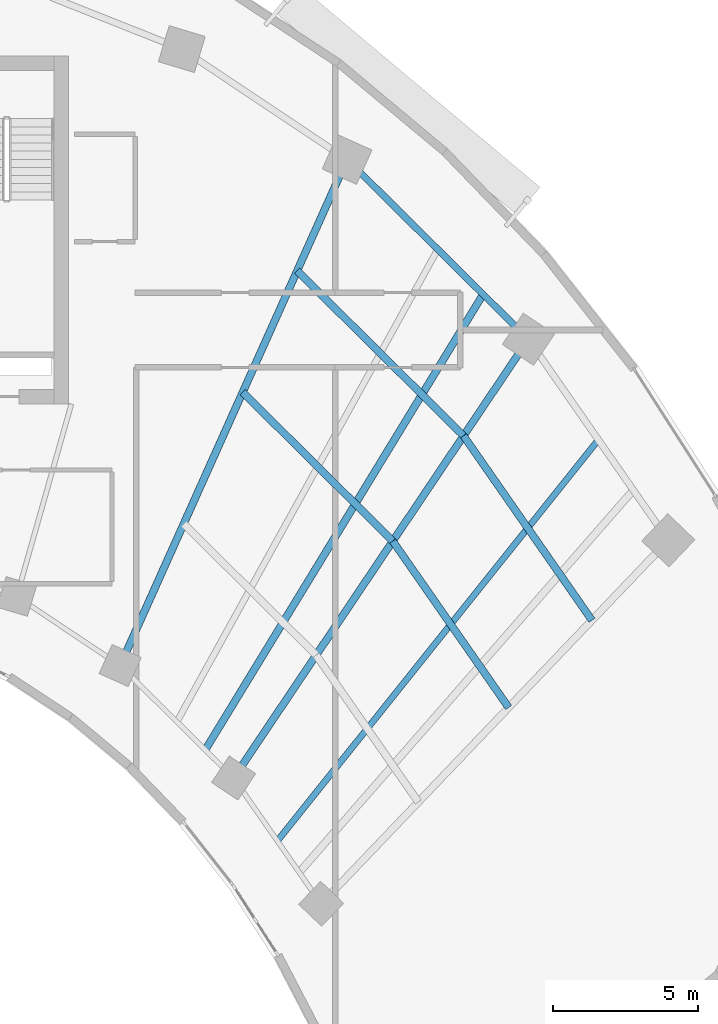
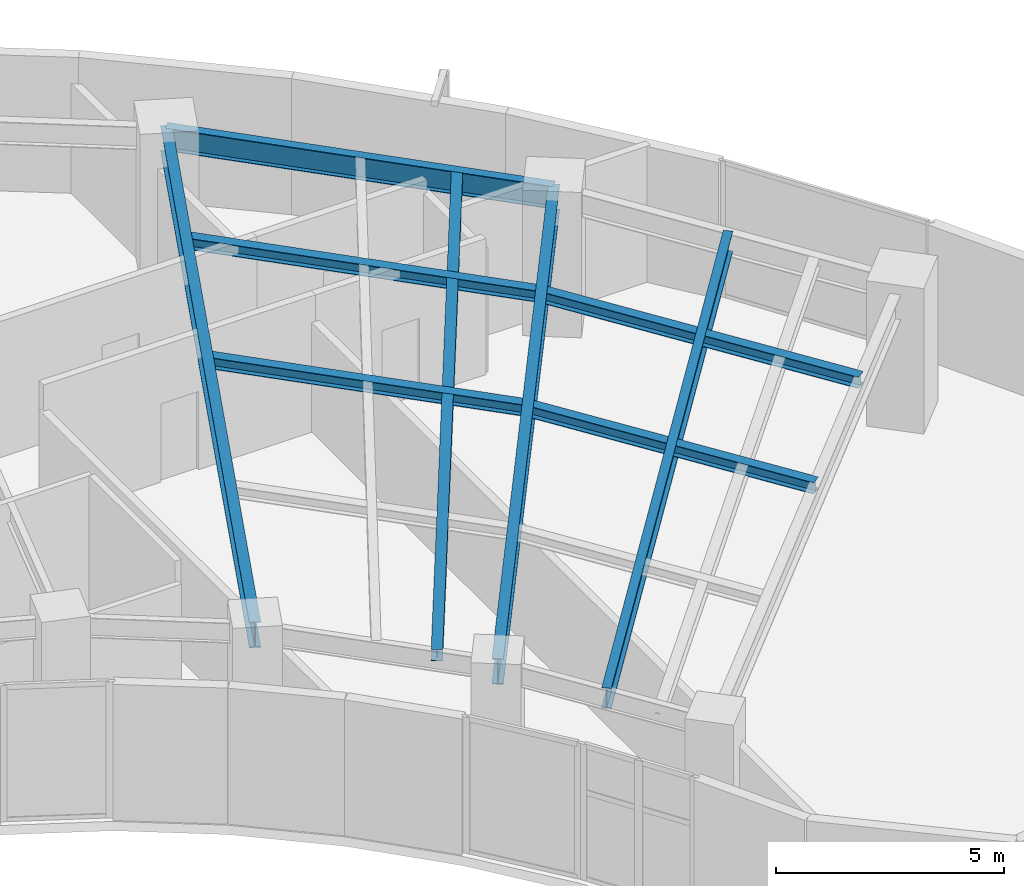
# One storey, part 4 of 14: 9 beams.
"""IFC4 building model written with IfcOpenShell, lengths in metres."""

from ifc_helpers import new_model, si_unit, direction, frame, origin, origin_2d, place, context, subcontext, project, spatial, i_section, extrude, source, transform, mapped, material, material_profile, profile_set, type_object, element, save


model = new_model("IFC4")

# Units and contexts
model_context = context("Model", 3, precision=1e-05, world=origin(), true_north=direction((0.0, 1.0)))
body_context = subcontext(model_context, "Body", "Model", "MODEL_VIEW")
ifc_project = project(units=[si_unit("LENGTHUNIT", "METRE"), si_unit("AREAUNIT", "SQUARE_METRE"), si_unit("VOLUMEUNIT", "CUBIC_METRE"), si_unit("PLANEANGLEUNIT", "RADIAN"), si_unit("MASSUNIT", "GRAM", prefix="KILO")], contexts=[model_context])

# Site, building, storey
site_placement = place(None, origin())
site = spatial("IfcSite", under=ifc_project, at=site_placement, CompositionType="ELEMENT")
building_placement = place(site_placement, origin())
building = spatial("IfcBuilding", under=site, at=building_placement, Name="Breltana Convention Tower", CompositionType="ELEMENT")
storey_placement = place(building_placement, frame((0.0, 0.0, 111.60009765625)))
storey = spatial("IfcBuildingStorey", under=building, at=storey_placement, Name="L26", CompositionType="ELEMENT", Elevation=111.60009765625)

# Beams
ifc_material = material(Name="Steel ASTM A992 Grade 50", Category="steel")
ifc_material_profile_1 = material_profile(ifc_material, i_section(OverallWidth=0.25390625, OverallDepth=0.68798828125, WebThickness=0.01318359375, FlangeThickness=0.02099609375, at=origin_2d()), Name="W27X102")
ifc_profile_set_1 = profile_set([ifc_material_profile_1], Name="Steel ASTM A992 Grade 50")
beam_type_1 = type_object("IfcBeamType", Name="BM-RG-W27X102", PredefinedType="USERDEFINED", material=ifc_profile_set_1)
shared_shape_1 = source(origin(), body_context, "Body", "SweptSolid", [
    extrude(i_section(OverallWidth=0.25390625, OverallDepth=0.68798828125, WebThickness=0.01318359375, FlangeThickness=0.02099609375, at=origin_2d()), origin(), (0.0, 0.0, 1.0), 19.133544921875),
])
beam_1_placement = place(storey_placement, frame((61.08203125, 51.174560546875, 3.305908203125), z_axis=(0.409144564164, 0.912469575172, 0.0), x_axis=(-0.912469575172, 0.409144564164, 0.0)))
element("IfcBeam", 1, at=beam_1_placement, inside=storey, type_object=beam_type_1, Name="L26 Radial Floor Girder R09", ObjectType="GIRDER", PredefinedType="USERDEFINED", context=body_context, shape_type="MappedRepresentation", body=[
    mapped(shared_shape_1, transform((0.0, 0.0, 0.0), scale=1.0)),
])
shared_shape_2 = source(origin(), body_context, "Body", "SweptSolid", [
    extrude(i_section(OverallWidth=0.25390625, OverallDepth=0.68798828125, WebThickness=0.01318359375, FlangeThickness=0.02099609375, at=origin_2d()), origin(), (0.0, 0.0, 1.0), 18.236328125),
])
beam_2_placement = place(storey_placement, frame((64.995849609375, 47.293701171875, 3.305908203125), z_axis=(0.557730360975, 0.830022195153, 0.0), x_axis=(-0.830022195153, 0.557730360975, 0.0)))
element("IfcBeam", 2, at=beam_2_placement, inside=storey, type_object=beam_type_1, Name="L26 Radial Floor Girder R10", ObjectType="GIRDER", PredefinedType="USERDEFINED", context=body_context, shape_type="MappedRepresentation", body=[
    mapped(shared_shape_2, transform((0.0, 0.0, 0.0), scale=1.0)),
])
ifc_material_profile_2 = material_profile(ifc_material, i_section(OverallWidth=0.22802734375, OverallDepth=0.60791015625, WebThickness=0.01123046875, FlangeThickness=0.017333984375, at=origin_2d()), Name="W24X76")
ifc_profile_set_2 = profile_set([ifc_material_profile_2], Name="Steel ASTM A992 Grade 50")
beam_type_2 = type_object("IfcBeamType", Name="BM-SP-W24X76", PredefinedType="SPANDREL", material=ifc_profile_set_2)
shared_shape_3 = source(origin(), body_context, "Body", "SweptSolid", [
    extrude(i_section(OverallWidth=0.22802734375, OverallDepth=0.60791015625, WebThickness=0.01123046875, FlangeThickness=0.017333984375, at=origin_2d()), origin(), (0.0, 0.0, 1.0), 8.810302734375),
])
beam_3_placement = place(storey_placement, frame((68.910400390625, 68.63330078125, 3.345947265625), z_axis=(0.710120823582, -0.704079836322, 0.0), x_axis=(0.704079836322, 0.710120823582, 0.0)))
element("IfcBeam", 3, at=beam_3_placement, inside=storey, type_object=beam_type_2, Name="L26 Outer Spandrel Beam 09", PredefinedType="SPANDREL", context=body_context, shape_type="MappedRepresentation", body=[
    mapped(shared_shape_3, transform((0.0, 0.0, 0.0), scale=1.0)),
])
ifc_material_profile_3 = material_profile(ifc_material, i_section(OverallWidth=0.25390625, OverallDepth=0.305908203125, WebThickness=0.0087890625, FlangeThickness=0.0146484375, at=origin_2d()), Name="W12X53")
ifc_profile_set_3 = profile_set([ifc_material_profile_3], Name="Steel ASTM A992 Grade 50")
beam_type_3 = type_object("IfcBeamType", Name="BM-JSG-10", PredefinedType="JOIST", material=ifc_profile_set_3)
shared_shape_4 = source(origin(), body_context, "Body", "SweptSolid", [
    extrude(i_section(OverallWidth=0.25390625, OverallDepth=0.305908203125, WebThickness=0.0087890625, FlangeThickness=0.0146484375, at=origin_2d()), origin(), (0.0, 0.0, 1.0), 7.29296875),
])
beam_4_placement = place(storey_placement, frame((65.309326171875, 60.602294921875, 3.496826171875), z_axis=(0.710096551013, -0.704104316305, 0.0), x_axis=(0.704104316305, 0.710096551013, 0.0)))
element("IfcBeam", 4, at=beam_4_placement, inside=storey, type_object=beam_type_3, Name="L26 Composite Floor Joist 09.2", PredefinedType="JOIST", context=body_context, shape_type="MappedRepresentation", body=[
    mapped(shared_shape_4, transform((0.0, 0.0, 0.0), scale=1.0)),
])
shared_shape_5 = source(origin(), body_context, "Body", "SweptSolid", [
    extrude(i_section(OverallWidth=0.25390625, OverallDepth=0.305908203125, WebThickness=0.0087890625, FlangeThickness=0.0146484375, at=origin_2d()), origin(), (0.0, 0.0, 1.0), 8.084716796875),
])
beam_5_placement = place(storey_placement, frame((67.188232421875, 64.79248046875, 3.496826171875), z_axis=(0.710105094548, -0.704095699956, 0.0), x_axis=(0.704095699956, 0.710105094548, 0.0)))
element("IfcBeam", 5, at=beam_5_placement, inside=storey, type_object=beam_type_3, Name="L26 Composite Floor Joist 09.3", PredefinedType="JOIST", context=body_context, shape_type="MappedRepresentation", body=[
    mapped(shared_shape_5, transform((0.0, 0.0, 0.0), scale=1.0)),
])
shared_shape_6 = source(origin(), body_context, "Body", "SweptSolid", [
    extrude(i_section(OverallWidth=0.25390625, OverallDepth=0.305908203125, WebThickness=0.0087890625, FlangeThickness=0.0146484375, at=origin_2d()), origin(), (0.0, 0.0, 1.0), 18.409423828125),
])
beam_6_placement = place(storey_placement, frame((64.017333984375, 48.263916015625, 3.496826171875), z_axis=(0.520682167606, 0.853750596098, 0.0), x_axis=(-0.853750596098, 0.520682167606, 0.0)))
element("IfcBeam", 6, at=beam_6_placement, inside=storey, type_object=beam_type_3, Name="L26 Quarter-Bay Radial Trimmer 09", PredefinedType="JOIST", context=body_context, shape_type="MappedRepresentation", body=[
    mapped(shared_shape_6, transform((0.0, 0.0, 0.0), scale=1.0)),
])
shared_shape_7 = source(origin(), body_context, "Body", "SweptSolid", [
    extrude(i_section(OverallWidth=0.25390625, OverallDepth=0.305908203125, WebThickness=0.0087890625, FlangeThickness=0.0146484375, at=origin_2d()), origin(), (0.0, 0.0, 1.0), 6.99462890625),
])
beam_7_placement = place(storey_placement, frame((70.488037109375, 55.46728515625, 3.496826171875), z_axis=(0.571206630732, -0.820806301759, 0.0), x_axis=(0.820806301759, 0.571206630732, 0.0)))
element("IfcBeam", 7, at=beam_7_placement, inside=storey, type_object=beam_type_3, Name="L26 Composite Floor Joist 10.2", PredefinedType="JOIST", context=body_context, shape_type="MappedRepresentation", body=[
    mapped(shared_shape_7, transform((0.0, 0.0, 0.0), scale=1.0)),
])
shared_shape_8 = source(origin(), body_context, "Body", "SweptSolid", [
    extrude(i_section(OverallWidth=0.25390625, OverallDepth=0.305908203125, WebThickness=0.0087890625, FlangeThickness=0.0146484375, at=origin_2d()), origin(), (0.0, 0.0, 1.0), 7.75390625),
])
beam_8_placement = place(storey_placement, frame((72.92919921875, 59.10009765625, 3.496826171875), z_axis=(0.57119271264, -0.820815987312, 0.0), x_axis=(0.820815987312, 0.57119271264, 0.0)))
element("IfcBeam", 8, at=beam_8_placement, inside=storey, type_object=beam_type_3, Name="L26 Composite Floor Joist 10.3", PredefinedType="JOIST", context=body_context, shape_type="MappedRepresentation", body=[
    mapped(shared_shape_8, transform((0.0, 0.0, 0.0), scale=1.0)),
])
ifc_material_profile_4 = material_profile(ifc_material, i_section(OverallWidth=0.214111328125, OverallDepth=0.549072265625, WebThickness=0.0146484375, FlangeThickness=0.023681640625, at=origin_2d()), Name="W21X93")
ifc_profile_set_4 = profile_set([ifc_material_profile_4], Name="Steel ASTM A992 Grade 50")
beam_type_4 = type_object("IfcBeamType", Name="BM-JSG-03", PredefinedType="JOIST", material=ifc_profile_set_4)
shared_shape_9 = source(origin(), body_context, "Body", "SweptSolid", [
    extrude(i_section(OverallWidth=0.214111328125, OverallDepth=0.549072265625, WebThickness=0.0146484375, FlangeThickness=0.023681640625, at=origin_2d()), origin(), (0.0, 0.0, 1.0), 17.7236328125),
])
beam_9_placement = place(storey_placement, frame((66.505615234375, 45.124267578125, 3.37548828125), z_axis=(0.624829427563, 0.78076128647, 0.0), x_axis=(-0.78076128647, 0.624829427563, 0.0)))
element("IfcBeam", 9, at=beam_9_placement, inside=storey, type_object=beam_type_4, Name="L26 Mid-Bay Radial Trimmer 10", PredefinedType="JOIST", context=body_context, shape_type="MappedRepresentation", body=[
    mapped(shared_shape_9, transform((0.0, 0.0, 0.0), scale=1.0)),
])

save(model, "model.ifc")
